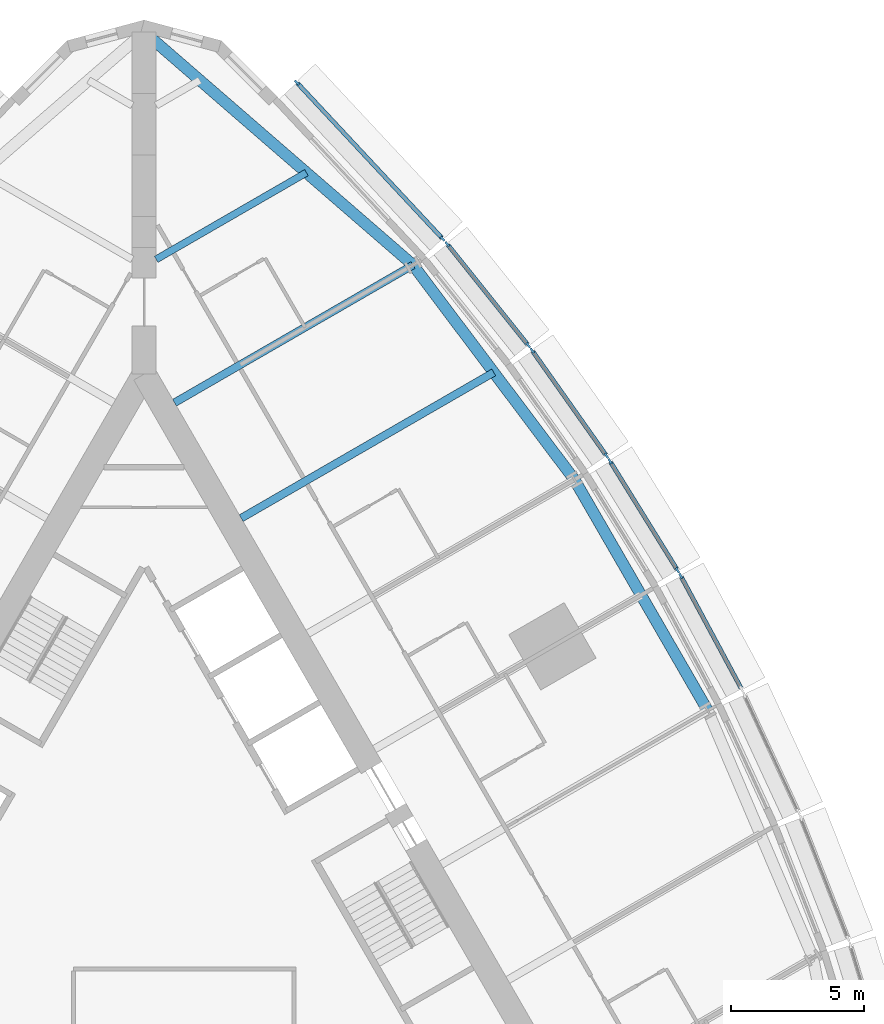
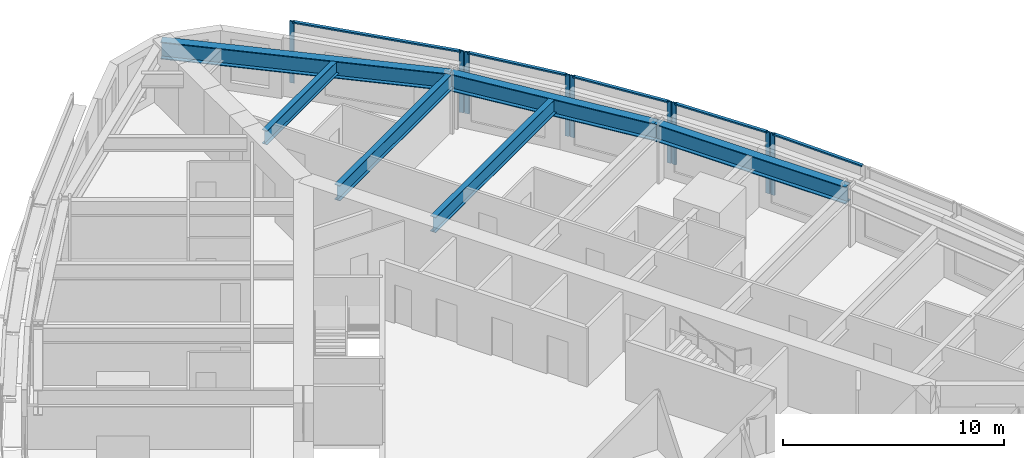
# One storey, part 5 of 14: 14 members, 6 beams, 5 elements without a shape of their own.
"""IFC4 building model written with IfcOpenShell, lengths in metres."""

from ifc_helpers import new_model, si_unit, direction, frame, origin, origin_2d, place, context, subcontext, project, spatial, rectangle, i_section, extrude, material, material_profile, profile_set, type_object, element, aggregate, save


model = new_model("IFC4")

# Units and contexts
model_context = context("Model", 3, precision=1e-05, world=origin(), true_north=direction((0.0, 1.0)))
body_context = subcontext(model_context, "Body", "Model", "MODEL_VIEW")
ifc_project = project(units=[si_unit("LENGTHUNIT", "METRE"), si_unit("AREAUNIT", "SQUARE_METRE"), si_unit("VOLUMEUNIT", "CUBIC_METRE"), si_unit("PLANEANGLEUNIT", "RADIAN"), si_unit("MASSUNIT", "GRAM", prefix="KILO")], contexts=[model_context])

# Site, building, storey
site_placement = place(None, origin())
site = spatial("IfcSite", under=ifc_project, at=site_placement, CompositionType="ELEMENT")
building_placement = place(site_placement, origin())
building = spatial("IfcBuilding", under=site, at=building_placement, Name="Trikona Tower", CompositionType="ELEMENT")
storey_placement = place(building_placement, frame((0.0, 0.0, 82.89990234375)))
storey = spatial("IfcBuildingStorey", under=building, at=storey_placement, Name="L21", CompositionType="ELEMENT", Elevation=82.89990234375)

# Curtain wall, member
ifc_material_1 = material(Name="Aluminium curtain wall system", Category="aluminium")
curtain_wall_type = type_object("IfcCurtainWallType", Name="Curtain wall DS1", PredefinedType="NOTDEFINED", material=ifc_material_1)
curtain_wall_1_placement = place(storey_placement, origin())
curtain_wall_1 = element("IfcCurtainWall", 1, at=curtain_wall_1_placement, inside=storey, type_object=curtain_wall_type, Name="Curtain wall DS1 L21", PredefinedType="NOTDEFINED")
ifc_material_2 = material(Name="Aluminium mullion, pale anodised", Category="aluminium")
ifc_material_profile_1 = material_profile(ifc_material_2, rectangle(XDim=0.080078125, YDim=0.219970703125, at=origin_2d()), Name="MUL-DS1")
ifc_profile_set_1 = profile_set([ifc_material_profile_1], Name="Aluminium mullion, pale anodised")
member_type_1 = type_object("IfcMemberType", Name="Mullion DS1 80x220", PredefinedType="MULLION", material=ifc_profile_set_1)
member_1_placement = place(storey_placement, frame((20.128662109375, 11.474365234375, 0.0), z_axis=(0.0, 0.0, 1.0), x_axis=(-0.880843080975, -0.473408350896, 0.0)))
member_1 = element("IfcMember", 2, at=member_1_placement, type_object=member_type_1, Name="CW-DS1 mullion 2", PredefinedType="MULLION", context=body_context, shape_type="SweptSolid", body=[
    extrude(rectangle(XDim=0.080078125, YDim=0.219970703125, at=origin_2d()), origin(), (0.0, 0.0, 1.0), 3.400146484375),
])

# Curtain wall, members
curtain_wall_2_placement = place(storey_placement, origin())
curtain_wall_2 = element("IfcCurtainWall", 3, at=curtain_wall_2_placement, inside=storey, type_object=curtain_wall_type, Name="Curtain wall DS1 L21", PredefinedType="NOTDEFINED")
member_2_placement = place(storey_placement, frame((20.00146484375, 11.69482421875, 0.0), z_axis=(0.0, 0.0, 1.0), x_axis=(-0.850410468941, -0.526119790842, 0.0)))
member_2 = element("IfcMember", 4, at=member_2_placement, type_object=member_type_1, Name="CW-DS1 mullion 1", PredefinedType="MULLION", context=body_context, shape_type="SweptSolid", body=[
    extrude(rectangle(XDim=0.080078125, YDim=0.219970703125, at=origin_2d()), origin(), (0.0, 0.0, 1.0), 3.400146484375),
])
member_3_placement = place(storey_placement, frame((17.474853515625, 15.77880859375, 0.0), z_axis=(0.0, 0.0, 1.0), x_axis=(-0.850410468941, -0.526119790842, 0.0)))
member_3 = element("IfcMember", 5, at=member_3_placement, type_object=member_type_1, Name="CW-DS1 mullion 2", PredefinedType="MULLION", context=body_context, shape_type="SweptSolid", body=[
    extrude(rectangle(XDim=0.080078125, YDim=0.219970703125, at=origin_2d()), origin(), (0.0, 0.0, 1.0), 3.400146484375),
])

curtain_wall_3_placement = place(storey_placement, origin())
curtain_wall_3 = element("IfcCurtainWall", 6, at=curtain_wall_3_placement, inside=storey, type_object=curtain_wall_type, Name="Curtain wall DS1 L21", PredefinedType="NOTDEFINED")
member_4_placement = place(storey_placement, frame((17.33447265625, 15.990966796875, 0.0), z_axis=(0.0, 0.0, 1.0), x_axis=(-0.816985393055, -0.576658362928, 0.0)))
member_4 = element("IfcMember", 7, at=member_4_placement, type_object=member_type_1, Name="CW-DS1 mullion 1", PredefinedType="MULLION", context=body_context, shape_type="SweptSolid", body=[
    extrude(rectangle(XDim=0.080078125, YDim=0.219970703125, at=origin_2d()), origin(), (0.0, 0.0, 1.0), 3.400146484375),
])
member_5_placement = place(storey_placement, frame((14.554443359375, 19.929443359375, 0.0), z_axis=(0.0, 0.0, 1.0), x_axis=(-0.816985393055, -0.576658362928, 0.0)))
member_5 = element("IfcMember", 8, at=member_5_placement, type_object=member_type_1, Name="CW-DS1 mullion 2", PredefinedType="MULLION", context=body_context, shape_type="SweptSolid", body=[
    extrude(rectangle(XDim=0.080078125, YDim=0.219970703125, at=origin_2d()), origin(), (0.0, 0.0, 1.0), 3.400146484375),
])

curtain_wall_4_placement = place(storey_placement, origin())
curtain_wall_4 = element("IfcCurtainWall", 9, at=curtain_wall_4_placement, inside=storey, type_object=curtain_wall_type, Name="Curtain wall DS1 L21", PredefinedType="NOTDEFINED")
member_6_placement = place(storey_placement, frame((14.40185546875, 20.13232421875, 0.0), z_axis=(0.0, 0.0, 1.0), x_axis=(-0.780937959679, -0.624608599951, 0.0)))
member_6 = element("IfcMember", 10, at=member_6_placement, type_object=member_type_1, Name="CW-DS1 mullion 1", PredefinedType="MULLION", context=body_context, shape_type="SweptSolid", body=[
    extrude(rectangle(XDim=0.080078125, YDim=0.219970703125, at=origin_2d()), origin(), (0.0, 0.0, 1.0), 3.400146484375),
])
member_7_placement = place(storey_placement, frame((11.36767578125, 23.926025390625, 0.0), z_axis=(0.0, 0.0, 1.0), x_axis=(-0.780937959679, -0.624608599951, 0.0)))
member_7 = element("IfcMember", 11, at=member_7_placement, type_object=member_type_1, Name="CW-DS1 mullion 2", PredefinedType="MULLION", context=body_context, shape_type="SweptSolid", body=[
    extrude(rectangle(XDim=0.080078125, YDim=0.219970703125, at=origin_2d()), origin(), (0.0, 0.0, 1.0), 3.400146484375),
])

curtain_wall_5_placement = place(storey_placement, origin())
curtain_wall_5 = element("IfcCurtainWall", 12, at=curtain_wall_5_placement, inside=storey, type_object=curtain_wall_type, Name="Curtain wall DS1 L21", PredefinedType="NOTDEFINED")
member_8_placement = place(storey_placement, frame((11.192138671875, 24.129150390625, 0.0), z_axis=(0.0, 0.0, 1.0), x_axis=(-0.731076639405, -0.682295351967, 0.0)))
member_8 = element("IfcMember", 13, at=member_8_placement, type_object=member_type_1, Name="CW-DS1 mullion 1", PredefinedType="MULLION", context=body_context, shape_type="SweptSolid", body=[
    extrude(rectangle(XDim=0.080078125, YDim=0.219970703125, at=origin_2d()), origin(), (0.0, 0.0, 1.0), 3.400146484375),
])
member_9_placement = place(storey_placement, frame((5.72607421875, 29.98583984375, 0.0), z_axis=(0.0, 0.0, 1.0), x_axis=(-0.731076639405, -0.682295351967, 0.0)))
member_9 = element("IfcMember", 14, at=member_9_placement, type_object=member_type_1, Name="CW-DS1 mullion 2", PredefinedType="MULLION", context=body_context, shape_type="SweptSolid", body=[
    extrude(rectangle(XDim=0.080078125, YDim=0.219970703125, at=origin_2d()), origin(), (0.0, 0.0, 1.0), 3.400146484375),
])

# Beams
ifc_material_3 = material(Name="Steel ASTM A992 Grade 50", Category="steel")
ifc_material_profile_2 = material_profile(ifc_material_3, i_section(OverallWidth=0.2666015625, OverallDepth=0.76953125, WebThickness=0.015625, FlangeThickness=0.025390625, at=origin_2d()), Name="W30X132")
ifc_profile_set_2 = profile_set([ifc_material_profile_2], Name="Steel ASTM A992 Grade 50")
beam_type_1 = type_object("IfcBeamType", Name="Steel beam W30x132 (wedge)", PredefinedType="BEAM", material=ifc_profile_set_2)
beam_1_placement = place(storey_placement, frame((0.449951171875, 23.353759765625, 2.850341796875), z_axis=(0.866022504693, 0.50000502134, 0.0), x_axis=(-0.50000502134, 0.866022504693, 0.0)))
element("IfcBeam", 15, at=beam_1_placement, inside=storey, type_object=beam_type_1, Name="Floor beam L22 F2 u20", PredefinedType="BEAM", context=body_context, shape_type="SweptSolid", body=[
    extrude(i_section(OverallWidth=0.2666015625, OverallDepth=0.76953125, WebThickness=0.015625, FlangeThickness=0.025390625, at=origin_2d()), origin(), (0.0, 0.0, 1.0), 6.5068359375),
])
ifc_material_4 = material(Name="Steel ASTM A992 Grade 50", Category="steel")
ifc_material_profile_3 = material_profile(ifc_material_4, i_section(OverallWidth=0.2919921875, OverallDepth=0.845703125, WebThickness=0.015380859375, FlangeThickness=0.0244140625, at=origin_2d()), Name="W33X141")
ifc_profile_set_3 = profile_set([ifc_material_profile_3], Name="Steel ASTM A992 Grade 50")
beam_type_2 = type_object("IfcBeamType", Name="Steel beam W33x141 (radial typ)", PredefinedType="BEAM", material=ifc_profile_set_3)
beam_2_placement = place(storey_placement, frame((3.6396484375, 13.6484375, 2.812255859375), z_axis=(0.866025348605, 0.500000095573, 0.0), x_axis=(-0.500000095573, 0.866025348605, 0.0)))
element("IfcBeam", 16, at=beam_2_placement, inside=storey, type_object=beam_type_2, Name="Floor beam L22 F2 u10", PredefinedType="BEAM", context=body_context, shape_type="SweptSolid", body=[
    extrude(i_section(OverallWidth=0.2919921875, OverallDepth=0.845703125, WebThickness=0.015380859375, FlangeThickness=0.0244140625, at=origin_2d()), origin(), (0.0, 0.0, 1.0), 10.935546875),
])
beam_3_placement = place(storey_placement, frame((1.1396484375, 17.978515625, 2.812255859375), z_axis=(0.866030471684, 0.499991222037, 0.0), x_axis=(-0.499991222037, 0.866030471684, 0.0)))
element("IfcBeam", 17, at=beam_3_placement, inside=storey, type_object=beam_type_2, Name="Floor beam L22 F2 u15", PredefinedType="BEAM", context=body_context, shape_type="SweptSolid", body=[
    extrude(i_section(OverallWidth=0.2919921875, OverallDepth=0.845703125, WebThickness=0.015380859375, FlangeThickness=0.0244140625, at=origin_2d()), origin(), (0.0, 0.0, 1.0), 10.326904296875),
])
ifc_material_5 = material(Name="Steel ASTM A992 Grade 50", Category="steel")
ifc_material_profile_4 = material_profile(ifc_material_5, i_section(OverallWidth=0.424072265625, OverallDepth=0.947509765625, WebThickness=0.02392578125, FlangeThickness=0.042724609375, at=origin_2d()), Name="W36X302")
ifc_profile_set_4 = profile_set([ifc_material_profile_4], Name="Steel ASTM A992 Grade 50")
beam_type_3 = type_object("IfcBeamType", Name="Steel beam W36x302 (spandrel)", PredefinedType="SPANDREL", material=ifc_profile_set_4)
beam_4_placement = place(storey_placement, frame((21.13720703125, 6.43017578125, 2.761474609375), z_axis=(-0.500004234368, 0.866022959057, 0.0), x_axis=(-0.866022959057, -0.500004234368, 0.0)))
element("IfcBeam", 18, at=beam_4_placement, inside=storey, type_object=beam_type_3, Name="Spandrel beam L22 F2-3", PredefinedType="SPANDREL", context=body_context, shape_type="SweptSolid", body=[
    extrude(i_section(OverallWidth=0.424072265625, OverallDepth=0.947509765625, WebThickness=0.02392578125, FlangeThickness=0.042724609375, at=origin_2d()), origin(), (0.0, 0.0, 1.0), 10.0),
])
beam_5_placement = place(storey_placement, frame((16.13720703125, 15.09033203125, 2.761474609375), z_axis=(-0.600988344191, 0.799257787042, 0.0), x_axis=(-0.799257787042, -0.600988344191, 0.0)))
element("IfcBeam", 19, at=beam_5_placement, inside=storey, type_object=beam_type_3, Name="Spandrel beam L22 F2-4", PredefinedType="SPANDREL", context=body_context, shape_type="SweptSolid", body=[
    extrude(i_section(OverallWidth=0.424072265625, OverallDepth=0.947509765625, WebThickness=0.02392578125, FlangeThickness=0.042724609375, at=origin_2d()), origin(), (0.0, 0.0, 1.0), 10.07373046875),
])
beam_6_placement = place(storey_placement, frame((10.0830078125, 23.141845703125, 2.761474609375), z_axis=(-0.755646822726, 0.654979296851, 0.0), x_axis=(-0.654979296851, -0.755646822726, 0.0)))
element("IfcBeam", 20, at=beam_6_placement, inside=storey, type_object=beam_type_3, Name="Spandrel beam L22 F2-5", PredefinedType="SPANDREL", context=body_context, shape_type="SweptSolid", body=[
    extrude(i_section(OverallWidth=0.424072265625, OverallDepth=0.947509765625, WebThickness=0.02392578125, FlangeThickness=0.042724609375, at=origin_2d()), origin(), (0.0, 0.0, 1.0), 13.343505859375),
])

# Member
ifc_material_6 = material(Name="Aluminium transom, pale anodised", Category="aluminium")
ifc_material_profile_5 = material_profile(ifc_material_6, rectangle(XDim=0.159912109375, YDim=0.080078125, at=origin_2d()), Name="TRN-DS1")
ifc_profile_set_5 = profile_set([ifc_material_profile_5], Name="Aluminium transom, pale anodised")
member_type_2 = type_object("IfcMemberType", Name="Transom DS1 80x160", PredefinedType="USERDEFINED", material=ifc_profile_set_5)
member_10_placement = place(storey_placement, frame((22.38330078125, 7.279541015625, 3.360107421875), z_axis=(-0.473427569755, 0.880832751546, 0.0), x_axis=(-0.880832751546, -0.473427569755, 0.0)))
member_10 = element("IfcMember", 21, at=member_10_placement, type_object=member_type_2, Name="CW-DS1 transom 1.1", ObjectType="TRANSOM", PredefinedType="USERDEFINED", context=body_context, shape_type="SweptSolid", body=[
    extrude(rectangle(XDim=0.159912109375, YDim=0.080078125, at=origin_2d()), origin(), (0.0, 0.0, 1.0), 4.72216796875),
])

aggregate(curtain_wall_1, [member_1, member_10])

member_11_placement = place(storey_placement, frame((19.980224609375, 11.728759765625, 3.360107421875), z_axis=(-0.526080502257, 0.850434774186, 0.0), x_axis=(-0.850434774186, -0.526080502257, 0.0)))
member_11 = element("IfcMember", 22, at=member_11_placement, type_object=member_type_2, Name="CW-DS1 transom 1.1", ObjectType="TRANSOM", PredefinedType="USERDEFINED", context=body_context, shape_type="SweptSolid", body=[
    extrude(rectangle(XDim=0.159912109375, YDim=0.080078125, at=origin_2d()), origin(), (0.0, 0.0, 1.0), 4.722412109375),
])

aggregate(curtain_wall_2, [member_2, member_3, member_11])

member_12_placement = place(storey_placement, frame((17.311279296875, 16.023681640625, 3.360107421875), z_axis=(-0.57664478015, 0.816994980111, 0.0), x_axis=(-0.816994980111, -0.57664478015, 0.0)))
member_12 = element("IfcMember", 23, at=member_12_placement, type_object=member_type_2, Name="CW-DS1 transom 1.1", ObjectType="TRANSOM", PredefinedType="USERDEFINED", context=body_context, shape_type="SweptSolid", body=[
    extrude(rectangle(XDim=0.159912109375, YDim=0.080078125, at=origin_2d()), origin(), (0.0, 0.0, 1.0), 4.740478515625),
])

aggregate(curtain_wall_3, [member_4, member_5, member_12])

member_13_placement = place(storey_placement, frame((14.376953125, 20.16357421875, 3.360107421875), z_axis=(-0.624589103832, 0.780953552636, 0.0), x_axis=(-0.780953552636, -0.624589103832, 0.0)))
member_13 = element("IfcMember", 24, at=member_13_placement, type_object=member_type_2, Name="CW-DS1 transom 1.1", ObjectType="TRANSOM", PredefinedType="USERDEFINED", context=body_context, shape_type="SweptSolid", body=[
    extrude(rectangle(XDim=0.159912109375, YDim=0.080078125, at=origin_2d()), origin(), (0.0, 0.0, 1.0), 4.77783203125),
])

aggregate(curtain_wall_4, [member_6, member_7, member_13])

member_14_placement = place(storey_placement, frame((11.164794921875, 24.158203125, 3.360107421875), z_axis=(-0.682290830921, 0.731080858758, 0.0), x_axis=(-0.731080858758, -0.682290830921, 0.0)))
member_14 = element("IfcMember", 25, at=member_14_placement, type_object=member_type_2, Name="CW-DS1 transom 1.1", ObjectType="TRANSOM", PredefinedType="USERDEFINED", context=body_context, shape_type="SweptSolid", body=[
    extrude(rectangle(XDim=0.159912109375, YDim=0.080078125, at=origin_2d()), origin(), (0.0, 0.0, 1.0), 7.93115234375),
])

aggregate(curtain_wall_5, [member_8, member_9, member_14])

save(model, "model.ifc")
